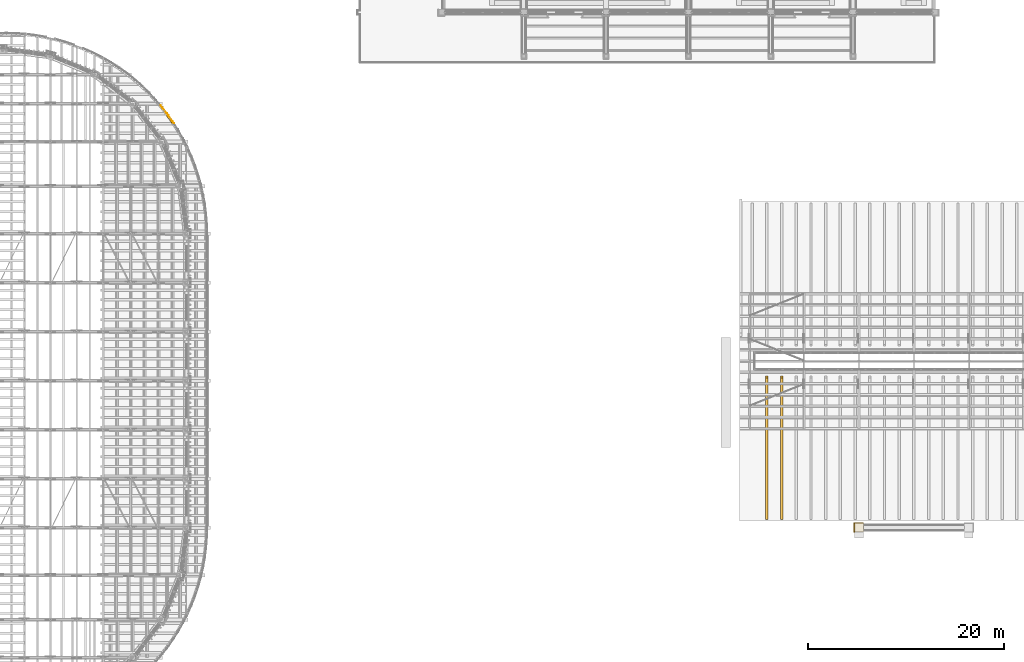
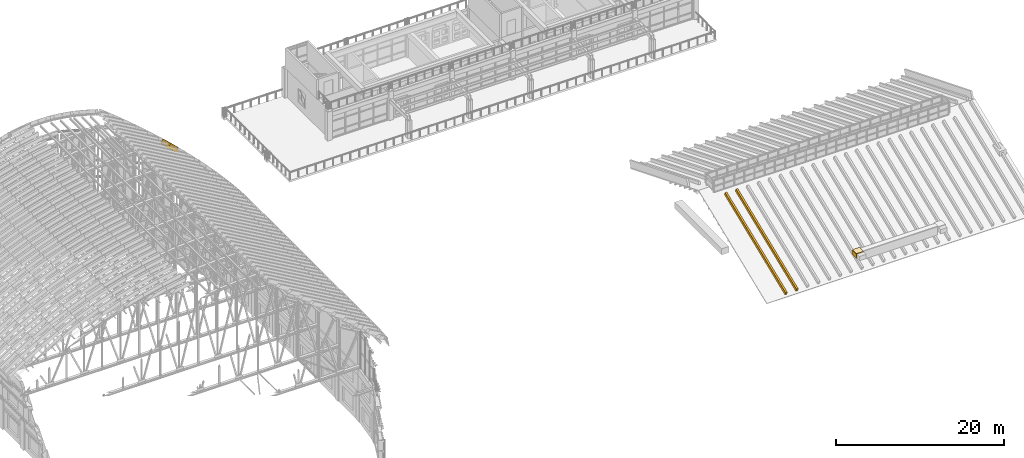
# One storey, part 92 of 105: 7 coverings.
"""IFC4 building model written with IfcOpenShell, lengths in metres."""

import ifcopenshell
import ifcopenshell.guid

model = None  # the IFC model being written
_history = None  # IfcOwnerHistory: only IFC2X3 demands one
_inside = {}  # id of a spatial element -> (the spatial element, [elements in it])
_under = {}  # id of a project, library or spatial element -> (it, [spatial elements below it])
_declared = {}  # id of a project -> (the project, [libraries it declares])
_typed = {}  # id of a type object -> (the type object, [elements of that type])
_made_of = {}  # id of a material, layer set ... -> (it, [elements and type objects made of it])


def new_model(schema):
    """Start an empty IFC model of exactly this schema.

    Asked for "IFC4X3", IfcOpenShell would pick the latest addendum, in which some entities
    have other attributes; the version numbers below select the first issue.
    IFC2X3 requires an IfcOwnerHistory on every rooted entity: one is made here for all.
    """
    global model, _history
    if schema == "IFC4X3":
        model = ifcopenshell.file(schema_version=(4, 3, 0, 0))
    else:
        model = ifcopenshell.file(schema=schema)
    _inside.clear()
    _under.clear()
    _declared.clear()
    _typed.clear()
    _made_of.clear()
    _history = None
    if model.schema == "IFC2X3":
        org = make("IfcOrganization", Name="unknown")
        user = make(
            "IfcPersonAndOrganization",
            ThePerson=make("IfcPerson", FamilyName="unknown"),
            TheOrganization=org,
        )
        app = make(
            "IfcApplication",
            ApplicationDeveloper=org,
            Version="unknown",
            ApplicationFullName="unknown",
            ApplicationIdentifier="unknown",
        )
        _history = make(
            "IfcOwnerHistory",
            OwningUser=user,
            OwningApplication=app,
            ChangeAction="ADDED",
            CreationDate=0,
        )
    return model


def make(cls, **values):
    """One entity of the class cls with the attributes given. An attribute that is None is left unset."""
    return model.create_entity(
        cls, **{name: value for name, value in values.items() if value is not None}
    )


def rooted(cls, **values):
    """An entity with a GlobalId (a new one), such as an element, a storey or a relation."""
    return make(cls, GlobalId=ifcopenshell.guid.new(), OwnerHistory=_history, **values)


def si_unit(unit_type, name, prefix=None):
    """IfcSIUnit, for example si_unit("LENGTHUNIT", "METRE", prefix="MILLI")."""
    return make("IfcSIUnit", UnitType=unit_type, Prefix=prefix, Name=name)


def assignment(units):
    """IfcUnitAssignment: the units of a project."""
    return None if units is None else make("IfcUnitAssignment", Units=units)


def point(xyz):
    """IfcCartesianPoint."""
    return None if xyz is None else make("IfcCartesianPoint", Coordinates=xyz)


def direction(xyz):
    """IfcDirection."""
    return None if xyz is None else make("IfcDirection", DirectionRatios=xyz)


def frame(location, z_axis=None, x_axis=None):
    """IfcAxis2Placement3D, a coordinate frame: its origin and axes. An axis left out is left unset."""
    return make(
        "IfcAxis2Placement3D",
        Location=point(location),
        Axis=direction(z_axis),
        RefDirection=direction(x_axis),
    )


def frame_2d(location, x_axis=None):
    """IfcAxis2Placement2D, a coordinate frame in the plane: its origin and x axis."""
    return make(
        "IfcAxis2Placement2D", Location=point(location), RefDirection=direction(x_axis)
    )


def origin():
    """The frame at (0, 0, 0) with its axes left unset."""
    return frame((0.0, 0.0, 0.0))


def origin_2d():
    """The frame at (0, 0) in the plane with its x axis left unset."""
    return frame_2d((0.0, 0.0))


def place(relative_to, where):
    """IfcLocalPlacement: puts the frame where relative to a parent placement (None: the world)."""
    return make(
        "IfcLocalPlacement", PlacementRelTo=relative_to, RelativePlacement=where
    )


def context(
    kind, dimensions, precision=None, world=None, true_north=None, identifier=None
):
    """IfcGeometricRepresentationContext, for example the 3D "Model" context."""
    return make(
        "IfcGeometricRepresentationContext",
        ContextIdentifier=identifier,
        ContextType=kind,
        CoordinateSpaceDimension=dimensions,
        Precision=precision,
        WorldCoordinateSystem=world,
        TrueNorth=true_north,
    )


def subcontext(parent, identifier, kind, view, scale=None):
    """IfcGeometricRepresentationSubContext, for example "Body" below "Model"."""
    return make(
        "IfcGeometricRepresentationSubContext",
        ContextIdentifier=identifier,
        ContextType=kind,
        ParentContext=parent,
        TargetScale=scale,
        TargetView=view,
    )


def project(units=None, contexts=None):
    """IfcProject with its units and contexts."""
    return rooted(
        "IfcProject",
        Name="project",
        RepresentationContexts=contexts,
        UnitsInContext=assignment(units),
    )


def spatial(cls, under=None, at=None, **own):
    """A site, building, storey or space (cls), placed at a placement, below another one or the project."""
    s = rooted(cls, ObjectPlacement=at, **own)
    if under is not None:
        _under.setdefault(under.id(), (under, []))[1].append(s)
    return s


def polyline(points):
    """IfcPolyline through the points."""
    return make("IfcPolyline", Points=[point(p) for p in points])


def profile(cls, at=None, kind="AREA", **sizes):
    """A parametric profile (cls). Its sizes go by their IFC names, for example OverallWidth=200.0."""
    return make(cls, ProfileType=kind, Position=at, **sizes)


def rectangle(**sizes):
    """IfcRectangleProfileDef."""
    return profile("IfcRectangleProfileDef", **sizes)


def outline(outer, holes=None, kind="AREA"):
    """IfcArbitraryClosedProfileDef: a profile drawn as a closed curve; with holes, ...WithVoids."""
    if holes is None:
        return make("IfcArbitraryClosedProfileDef", ProfileType=kind, OuterCurve=outer)
    return make(
        "IfcArbitraryProfileDefWithVoids",
        ProfileType=kind,
        OuterCurve=outer,
        InnerCurves=holes,
    )


def extrude(swept, where, along, depth):
    """IfcExtrudedAreaSolid: the profile swept, set in the frame where, extruded along a direction by depth."""
    return make(
        "IfcExtrudedAreaSolid",
        SweptArea=swept,
        Position=where,
        ExtrudedDirection=direction(along),
        Depth=depth,
    )


def shape(context_of_items, identifier, shape_type, items):
    """IfcShapeRepresentation: the items that make up one representation, for example the "Body"."""
    return make(
        "IfcShapeRepresentation",
        ContextOfItems=context_of_items,
        RepresentationIdentifier=identifier,
        RepresentationType=shape_type,
        Items=items,
    )


def material(Name=None, Category=None):
    """IfcMaterial."""
    return make("IfcMaterial", Name=Name, Category=Category)


def layer(
    of_material, thickness, ventilated=None, Name=None, Category=None, Priority=None
):
    """IfcMaterialLayer: one layer of a wall or slab, of a material (None: an air gap)."""
    return make(
        "IfcMaterialLayer",
        Material=of_material,
        LayerThickness=thickness,
        IsVentilated=ventilated,
        Name=Name,
        Category=Category,
        Priority=Priority,
    )


def layer_set(layers, Name=None):
    """IfcMaterialLayerSet."""
    return make("IfcMaterialLayerSet", MaterialLayers=layers, LayerSetName=Name)


def material_profile(
    of_material, cross_section, Name=None, Category=None, Priority=None
):
    """IfcMaterialProfile: a cross section and its material."""
    return make(
        "IfcMaterialProfile",
        Name=Name,
        Material=of_material,
        Profile=cross_section,
        Priority=Priority,
        Category=Category,
    )


def profile_set(profiles, Name=None, composite=None):
    """IfcMaterialProfileSet."""
    return make(
        "IfcMaterialProfileSet",
        Name=Name,
        MaterialProfiles=profiles,
        CompositeProfile=composite,
    )


def made_of(thing, what):
    """Note that an element or type object is made of a material, layer set ...; save() writes the relation."""
    if what is not None:
        _made_of.setdefault(what.id(), (what, []))[1].append(thing)
    return thing


def type_object(cls, material=None, **own):
    """A type object (cls), such as IfcWallType, which elements share."""
    return made_of(rooted(cls, **own), material)


def element(
    cls,
    number,
    at=None,
    inside=None,
    cuts=None,
    type_object=None,
    material=None,
    context=None,
    identifier="Body",
    shape_type=None,
    held_by="IfcProductDefinitionShape",
    body=None,
    shapes=None,
    **own,
):
    """One element of the class cls, such as IfcWall. Its Tag is "e" and its number.

    at: its placement. inside: the storey or other place that contains it. cuts: it is an
    opening in that element (IfcRelVoidsElement). A single representation is given by context,
    identifier, shape_type and body (its items); several are given by shapes. held_by: the class
    of the entity that holds the representations. save() writes the other relations.
    """
    e = rooted(cls, Tag="e%d" % number, ObjectPlacement=at, **own)
    if body is not None:
        shapes = [shape(context, identifier, shape_type, body)]
    if shapes is not None:
        e.Representation = make(held_by, Representations=shapes)
    if inside is not None:
        _inside.setdefault(inside.id(), (inside, []))[1].append(e)
    if cuts is not None:
        rooted(
            "IfcRelVoidsElement", RelatingBuildingElement=cuts, RelatedOpeningElement=e
        )
    if type_object is not None:
        _typed.setdefault(type_object.id(), (type_object, []))[1].append(e)
    return made_of(e, material)


def aggregate(whole, parts):
    """IfcRelAggregates: a whole, such as a stair, and the parts it consists of."""
    return rooted("IfcRelAggregates", RelatingObject=whole, RelatedObjects=parts)


def save(model, path):
    """Write the relations noted so far, then the file.

    IfcRelAggregates (storeys below a building ...), IfcRelContainedInSpatialStructure (elements
    in a storey), IfcRelDefinesByType, IfcRelAssociatesMaterial and IfcRelDeclares: one each for
    every whole, place, type object, material and project.
    """
    for whole, parts in _under.values():
        aggregate(whole, parts)
    for where, things in _inside.values():
        rooted(
            "IfcRelContainedInSpatialStructure",
            RelatedElements=things,
            RelatingStructure=where,
        )
    for kind, things in _typed.values():
        rooted("IfcRelDefinesByType", RelatedObjects=things, RelatingType=kind)
    for what, things in _made_of.values():
        rooted("IfcRelAssociatesMaterial", RelatedObjects=things, RelatingMaterial=what)
    for by, libraries in _declared.values():
        rooted("IfcRelDeclares", RelatingContext=by, RelatedDefinitions=libraries)
    model.write(path)


model = new_model("IFC4")

# Units and contexts
model_context = context("Model", 3, precision=1e-05, world=origin(), true_north=direction((0.0, 1.0)))
body_context = subcontext(model_context, "Body", "Model", "MODEL_VIEW")
ifc_project = project(units=[si_unit("LENGTHUNIT", "METRE"), si_unit("AREAUNIT", "SQUARE_METRE"), si_unit("VOLUMEUNIT", "CUBIC_METRE"), si_unit("PLANEANGLEUNIT", "RADIAN"), si_unit("MASSUNIT", "GRAM", prefix="KILO")], contexts=[model_context])

# Site, building, storey
site_placement = place(None, origin())
site = spatial("IfcSite", under=ifc_project, at=site_placement, CompositionType="ELEMENT")
building_placement = place(site_placement, origin())
building = spatial("IfcBuilding", under=site, at=building_placement, Name="Wasatch Bagh Community Centre", CompositionType="ELEMENT")
storey_placement = place(building_placement, frame((0.0, 0.0, 16.800048828125)))
storey = spatial("IfcBuildingStorey", under=building, at=storey_placement, Name="L04", CompositionType="ELEMENT", Elevation=16.800048828125)

# Coverings
ifc_material_1 = material(Name="Cast stone cladding", Category="masonry")
ifc_layer = layer(ifc_material_1, 0.080078125)
ifc_layer_set = layer_set([ifc_layer], Name="Cast stone cladding")
covering_type_1 = type_object("IfcCoveringType", Name="CL-C1 column facing", PredefinedType="CLADDING", material=ifc_layer_set)
covering_1_placement = place(storey_placement, origin())
element("IfcCovering", 1, at=covering_1_placement, inside=storey, type_object=covering_type_1, Name="Column facing", PredefinedType="CLADDING", context=body_context, shape_type="SweptSolid", body=[
    extrude(outline(polyline([(122.949951171875, 34.550048828125), (122.8701171875, 34.550048828125), (122.8701171875, 35.530029296875), (123.85009765625, 35.530029296875), (123.85009765625, 35.449951171875), (122.949951171875, 35.449951171875), (122.949951171875, 34.550048828125)])), origin(), (0.0, 0.0, 1.0), 0.599853515625),
])
covering_2_placement = place(storey_placement, frame((0.0, 0.0, 0.599853515625)))
element("IfcCovering", 2, at=covering_2_placement, inside=storey, type_object=covering_type_1, Name="Column facing", PredefinedType="CLADDING", context=body_context, shape_type="SweptSolid", body=[
    extrude(outline(polyline([(122.8701171875, 34.550048828125), (122.8701171875, 35.449951171875), (122.949951171875, 35.449951171875), (122.949951171875, 35.530029296875), (123.85009765625, 35.530029296875), (123.85009765625, 34.550048828125), (122.8701171875, 34.550048828125)])), origin(), (0.0, 0.0, 1.0), 0.080078125),
])
ifc_material_2 = material(Name="ASTM A653 Grade 50 steel, zinc-aluminium coated", Category="steel")
ifc_material_profile_1 = material_profile(ifc_material_2, outline(polyline([(-0.080078125, 0.0029296875), (0.152099609375, 0.0029296875), (0.152099609375, -0.031982421875), (0.14892578125, -0.031982421875), (0.14892578125, 0.0), (-0.080078125, 0.0), (-0.080078125, 0.0029296875)])), Name="DRIP EDGE")
ifc_profile_set_1 = profile_set([ifc_material_profile_1], Name="ASTM A653 Grade 50 steel, zinc-aluminium coated")
covering_type_2 = type_object("IfcCoveringType", Name="MH drip edge", PredefinedType="CLADDING", material=ifc_profile_set_1)
covering_3_placement = place(storey_placement, frame((52.74755859375, 77.119384765625, 14.96826171875), z_axis=(0.546205941691, -0.775953669839, -0.315523329603), x_axis=(0.672033962451, 0.630789882254, -0.387910399137)))
element("IfcCovering", 3, at=covering_3_placement, inside=storey, type_object=covering_type_2, Name="Drip edge 147", PredefinedType="CLADDING", context=body_context, shape_type="SweptSolid", body=[
    extrude(outline(polyline([(-0.080078125, 0.0029296875), (0.152099609375, 0.0029296875), (0.152099609375, -0.031982421875), (0.14892578125, -0.031982421875), (0.14892578125, 0.0), (-0.080078125, 0.0), (-0.080078125, 0.0029296875)])), origin(), (0.0, 0.0, 1.0), 1.044677734375),
])
ifc_material_profile_2 = material_profile(ifc_material_2, rectangle(XDim=0.0400390625, YDim=0.85009765625, at=origin_2d()), Name="FASCIA 40x850")
ifc_profile_set_2 = profile_set([ifc_material_profile_2], Name="ASTM A653 Grade 50 steel, zinc-aluminium coated")
covering_type_3 = type_object("IfcCoveringType", Name="MH eave fascia 40x850", PredefinedType="CLADDING", material=ifc_profile_set_2)
covering_4_placement = place(storey_placement, frame((52.227783203125, 77.980712890625, 15.472412109375), z_axis=(0.579743599682, -0.742898023451, -0.334663839368), x_axis=(0.788356571195, 0.615218592579, 0.0)))
element("IfcCovering", 4, at=covering_4_placement, inside=storey, type_object=covering_type_3, Name="Eave fascia 146", PredefinedType="CLADDING", context=body_context, shape_type="SweptSolid", body=[
    extrude(rectangle(XDim=0.0400390625, YDim=0.85009765625, at=origin_2d()), origin(), (0.0, 0.0, 1.0), 1.052001953125),
])
covering_5_placement = place(storey_placement, frame((52.845458984375, 77.1884765625, 15.114990234375), z_axis=(0.546468977282, -0.775761563559, -0.315540256343), x_axis=(0.817527238816, 0.575889932013, 0.0)))
element("IfcCovering", 5, at=covering_5_placement, inside=storey, type_object=covering_type_3, Name="Eave fascia 147", PredefinedType="CLADDING", context=body_context, shape_type="SweptSolid", body=[
    extrude(rectangle(XDim=0.0400390625, YDim=0.85009765625, at=origin_2d()), origin(), (0.0, 0.0, 1.0), 1.04443359375),
])
covering_type_4 = type_object("IfcCoveringType", Name="SH roof rib 250x450", PredefinedType="ROOFING", material=ifc_material_2)
for number, where, z_axis, x_axis, name in (
    (6, (113.875, 35.85009765625, -2.65869140625), (0.0, -0.374618710554, 0.927178958833), (0.0, 0.927178958833, 0.374618710554), "Roof rib S76"),
    (7, (115.375, 35.85009765625, -2.65869140625), (0.0, -0.374618710554, 0.927178958833), (0.0, 0.927178958833, 0.374618710554), "Roof rib S77"),
):
    element("IfcCovering", number, at=place(storey_placement, frame(where, z_axis=z_axis, x_axis=x_axis)), inside=storey, type_object=covering_type_4, Name=name, PredefinedType="ROOFING", context=body_context, shape_type="SweptSolid", body=[
        extrude(outline(polyline([(0.0, 0.0), (15.584856660313456, 0.0), (15.584856660313456, -0.25), (0.0, -0.25), (0.0, 0.0)])), origin(), (0.0, 0.0, -1.0), 0.449951171875),
    ])

save(model, "model.ifc")
